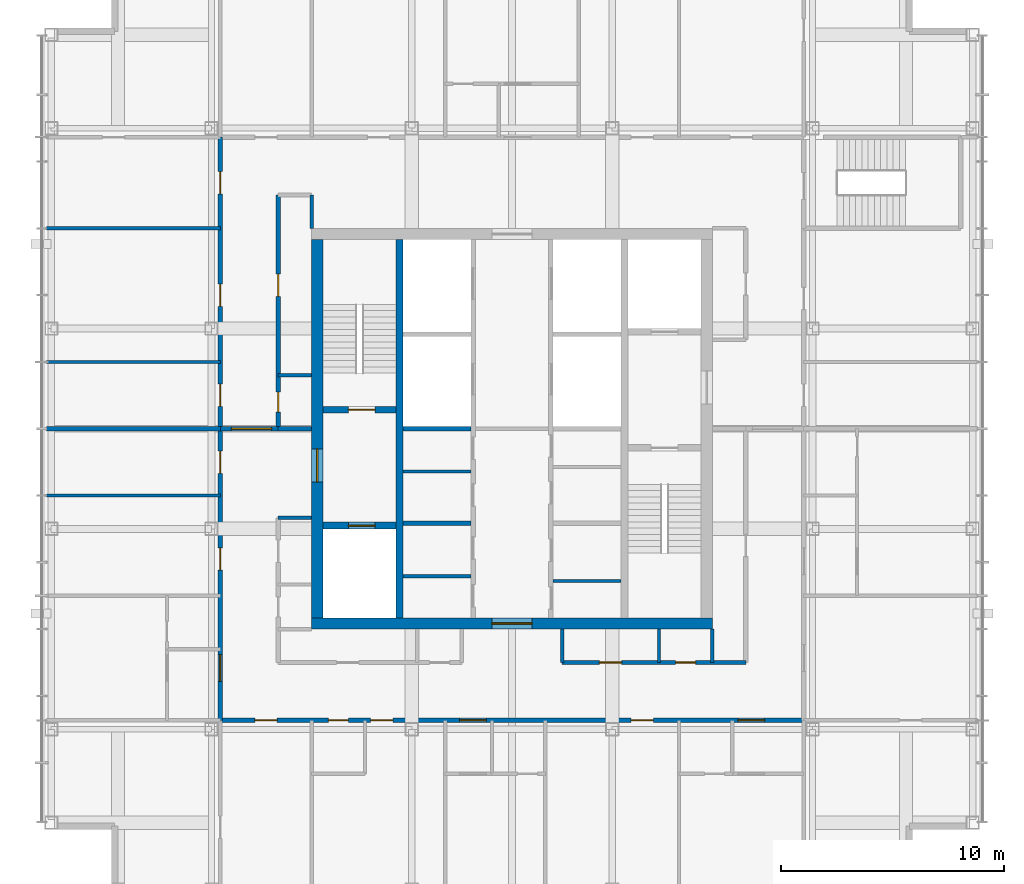
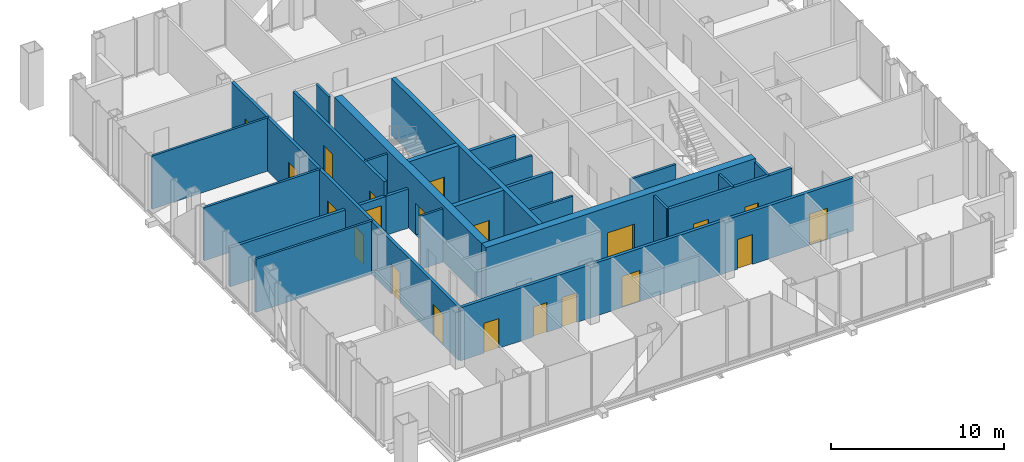
# One storey, part 8 of 12: 26 walls, 21 doors, 21 openings.
"""IFC4 building model written with IfcOpenShell, lengths in metres."""

import ifcopenshell
import ifcopenshell.guid

model = None  # the IFC model being written
_history = None  # IfcOwnerHistory: only IFC2X3 demands one
_inside = {}  # id of a spatial element -> (the spatial element, [elements in it])
_under = {}  # id of a project, library or spatial element -> (it, [spatial elements below it])
_declared = {}  # id of a project -> (the project, [libraries it declares])
_typed = {}  # id of a type object -> (the type object, [elements of that type])
_made_of = {}  # id of a material, layer set ... -> (it, [elements and type objects made of it])


def new_model(schema):
    """Start an empty IFC model of exactly this schema.

    Asked for "IFC4X3", IfcOpenShell would pick the latest addendum, in which some entities
    have other attributes; the version numbers below select the first issue.
    IFC2X3 requires an IfcOwnerHistory on every rooted entity: one is made here for all.
    """
    global model, _history
    if schema == "IFC4X3":
        model = ifcopenshell.file(schema_version=(4, 3, 0, 0))
    else:
        model = ifcopenshell.file(schema=schema)
    _inside.clear()
    _under.clear()
    _declared.clear()
    _typed.clear()
    _made_of.clear()
    _history = None
    if model.schema == "IFC2X3":
        org = make("IfcOrganization", Name="unknown")
        user = make(
            "IfcPersonAndOrganization",
            ThePerson=make("IfcPerson", FamilyName="unknown"),
            TheOrganization=org,
        )
        app = make(
            "IfcApplication",
            ApplicationDeveloper=org,
            Version="unknown",
            ApplicationFullName="unknown",
            ApplicationIdentifier="unknown",
        )
        _history = make(
            "IfcOwnerHistory",
            OwningUser=user,
            OwningApplication=app,
            ChangeAction="ADDED",
            CreationDate=0,
        )
    return model


def make(cls, **values):
    """One entity of the class cls with the attributes given. An attribute that is None is left unset."""
    return model.create_entity(
        cls, **{name: value for name, value in values.items() if value is not None}
    )


def rooted(cls, **values):
    """An entity with a GlobalId (a new one), such as an element, a storey or a relation."""
    return make(cls, GlobalId=ifcopenshell.guid.new(), OwnerHistory=_history, **values)


def si_unit(unit_type, name, prefix=None):
    """IfcSIUnit, for example si_unit("LENGTHUNIT", "METRE", prefix="MILLI")."""
    return make("IfcSIUnit", UnitType=unit_type, Prefix=prefix, Name=name)


def assignment(units):
    """IfcUnitAssignment: the units of a project."""
    return None if units is None else make("IfcUnitAssignment", Units=units)


def point(xyz):
    """IfcCartesianPoint."""
    return None if xyz is None else make("IfcCartesianPoint", Coordinates=xyz)


def direction(xyz):
    """IfcDirection."""
    return None if xyz is None else make("IfcDirection", DirectionRatios=xyz)


def frame(location, z_axis=None, x_axis=None):
    """IfcAxis2Placement3D, a coordinate frame: its origin and axes. An axis left out is left unset."""
    return make(
        "IfcAxis2Placement3D",
        Location=point(location),
        Axis=direction(z_axis),
        RefDirection=direction(x_axis),
    )


def frame_2d(location, x_axis=None):
    """IfcAxis2Placement2D, a coordinate frame in the plane: its origin and x axis."""
    return make(
        "IfcAxis2Placement2D", Location=point(location), RefDirection=direction(x_axis)
    )


def origin():
    """The frame at (0, 0, 0) with its axes left unset."""
    return frame((0.0, 0.0, 0.0))


def place(relative_to, where):
    """IfcLocalPlacement: puts the frame where relative to a parent placement (None: the world)."""
    return make(
        "IfcLocalPlacement", PlacementRelTo=relative_to, RelativePlacement=where
    )


def context(
    kind, dimensions, precision=None, world=None, true_north=None, identifier=None
):
    """IfcGeometricRepresentationContext, for example the 3D "Model" context."""
    return make(
        "IfcGeometricRepresentationContext",
        ContextIdentifier=identifier,
        ContextType=kind,
        CoordinateSpaceDimension=dimensions,
        Precision=precision,
        WorldCoordinateSystem=world,
        TrueNorth=true_north,
    )


def subcontext(parent, identifier, kind, view, scale=None):
    """IfcGeometricRepresentationSubContext, for example "Body" below "Model"."""
    return make(
        "IfcGeometricRepresentationSubContext",
        ContextIdentifier=identifier,
        ContextType=kind,
        ParentContext=parent,
        TargetScale=scale,
        TargetView=view,
    )


def project(units=None, contexts=None):
    """IfcProject with its units and contexts."""
    return rooted(
        "IfcProject",
        Name="project",
        RepresentationContexts=contexts,
        UnitsInContext=assignment(units),
    )


def spatial(cls, under=None, at=None, **own):
    """A site, building, storey or space (cls), placed at a placement, below another one or the project."""
    s = rooted(cls, ObjectPlacement=at, **own)
    if under is not None:
        _under.setdefault(under.id(), (under, []))[1].append(s)
    return s


def profile(cls, at=None, kind="AREA", **sizes):
    """A parametric profile (cls). Its sizes go by their IFC names, for example OverallWidth=200.0."""
    return make(cls, ProfileType=kind, Position=at, **sizes)


def rectangle(**sizes):
    """IfcRectangleProfileDef."""
    return profile("IfcRectangleProfileDef", **sizes)


def extrude(swept, where, along, depth):
    """IfcExtrudedAreaSolid: the profile swept, set in the frame where, extruded along a direction by depth."""
    return make(
        "IfcExtrudedAreaSolid",
        SweptArea=swept,
        Position=where,
        ExtrudedDirection=direction(along),
        Depth=depth,
    )


def shape(context_of_items, identifier, shape_type, items):
    """IfcShapeRepresentation: the items that make up one representation, for example the "Body"."""
    return make(
        "IfcShapeRepresentation",
        ContextOfItems=context_of_items,
        RepresentationIdentifier=identifier,
        RepresentationType=shape_type,
        Items=items,
    )


def material(Name=None, Category=None):
    """IfcMaterial."""
    return make("IfcMaterial", Name=Name, Category=Category)


def layer(
    of_material, thickness, ventilated=None, Name=None, Category=None, Priority=None
):
    """IfcMaterialLayer: one layer of a wall or slab, of a material (None: an air gap)."""
    return make(
        "IfcMaterialLayer",
        Material=of_material,
        LayerThickness=thickness,
        IsVentilated=ventilated,
        Name=Name,
        Category=Category,
        Priority=Priority,
    )


def layer_set(layers, Name=None):
    """IfcMaterialLayerSet."""
    return make("IfcMaterialLayerSet", MaterialLayers=layers, LayerSetName=Name)


def made_of(thing, what):
    """Note that an element or type object is made of a material, layer set ...; save() writes the relation."""
    if what is not None:
        _made_of.setdefault(what.id(), (what, []))[1].append(thing)
    return thing


def type_object(cls, material=None, **own):
    """A type object (cls), such as IfcWallType, which elements share."""
    return made_of(rooted(cls, **own), material)


def element(
    cls,
    number,
    at=None,
    inside=None,
    cuts=None,
    type_object=None,
    material=None,
    context=None,
    identifier="Body",
    shape_type=None,
    held_by="IfcProductDefinitionShape",
    body=None,
    shapes=None,
    **own,
):
    """One element of the class cls, such as IfcWall. Its Tag is "e" and its number.

    at: its placement. inside: the storey or other place that contains it. cuts: it is an
    opening in that element (IfcRelVoidsElement). A single representation is given by context,
    identifier, shape_type and body (its items); several are given by shapes. held_by: the class
    of the entity that holds the representations. save() writes the other relations.
    """
    e = rooted(cls, Tag="e%d" % number, ObjectPlacement=at, **own)
    if body is not None:
        shapes = [shape(context, identifier, shape_type, body)]
    if shapes is not None:
        e.Representation = make(held_by, Representations=shapes)
    if inside is not None:
        _inside.setdefault(inside.id(), (inside, []))[1].append(e)
    if cuts is not None:
        rooted(
            "IfcRelVoidsElement", RelatingBuildingElement=cuts, RelatedOpeningElement=e
        )
    if type_object is not None:
        _typed.setdefault(type_object.id(), (type_object, []))[1].append(e)
    return made_of(e, material)


def fill(opening, filler):
    """IfcRelFillsElement: the door or window that sits in an opening."""
    return rooted(
        "IfcRelFillsElement",
        RelatingOpeningElement=opening,
        RelatedBuildingElement=filler,
    )


def aggregate(whole, parts):
    """IfcRelAggregates: a whole, such as a stair, and the parts it consists of."""
    return rooted("IfcRelAggregates", RelatingObject=whole, RelatedObjects=parts)


def save(model, path):
    """Write the relations noted so far, then the file.

    IfcRelAggregates (storeys below a building ...), IfcRelContainedInSpatialStructure (elements
    in a storey), IfcRelDefinesByType, IfcRelAssociatesMaterial and IfcRelDeclares: one each for
    every whole, place, type object, material and project.
    """
    for whole, parts in _under.values():
        aggregate(whole, parts)
    for where, things in _inside.values():
        rooted(
            "IfcRelContainedInSpatialStructure",
            RelatedElements=things,
            RelatingStructure=where,
        )
    for kind, things in _typed.values():
        rooted("IfcRelDefinesByType", RelatedObjects=things, RelatingType=kind)
    for what, things in _made_of.values():
        rooted("IfcRelAssociatesMaterial", RelatedObjects=things, RelatingMaterial=what)
    for by, libraries in _declared.values():
        rooted("IfcRelDeclares", RelatingContext=by, RelatedDefinitions=libraries)
    model.write(path)


model = new_model("IFC4")

# Units and contexts
model_context = context("Model", 3, precision=1e-05, world=origin(), true_north=direction((0.0, 1.0)))
body_context = subcontext(model_context, "Body", "Model", "MODEL_VIEW")
ifc_project = project(units=[si_unit("LENGTHUNIT", "METRE"), si_unit("AREAUNIT", "SQUARE_METRE"), si_unit("VOLUMEUNIT", "CUBIC_METRE"), si_unit("PLANEANGLEUNIT", "RADIAN"), si_unit("MASSUNIT", "GRAM", prefix="KILO")], contexts=[model_context])

# Site, building, storey
site_placement = place(None, origin())
site = spatial("IfcSite", under=ifc_project, at=site_placement, CompositionType="ELEMENT")
building_placement = place(site_placement, origin())
building = spatial("IfcBuilding", under=site, at=building_placement, Name="Malebo Sky Hospital", CompositionType="ELEMENT")
storey_placement = place(building_placement, frame((0.0, 0.0, 262.0)))
storey = spatial("IfcBuildingStorey", under=building, at=storey_placement, Name="L63", CompositionType="ELEMENT", Elevation=262.0)

# Walls
ifc_material_1 = material(Name="Concrete C80/95", Category="concrete")
ifc_layer_1 = layer(ifc_material_1, 0.199951171875)
ifc_layer_set_1 = layer_set([ifc_layer_1], Name="CORE INNER WALL 200")
wall_type_1 = type_object("IfcWallType", Name="CORE INNER WALL 200", PredefinedType="SHEAR", material=ifc_layer_set_1)
for number, where, z_axis, x_axis, name in (
    (1, (55.10009765625, 57.75, 0.0), (0.0, 0.0, 1.0), (1.0, 0.0, 0.0), "Core wall SW0 L63"),
    (2, (55.10009765625, 62.0, 0.0), (0.0, 0.0, 1.0), (1.0, 0.0, 0.0), "Core wall SW1 L63"),
):
    element("IfcWall", number, at=place(storey_placement, frame(where, z_axis=z_axis, x_axis=x_axis)), inside=storey, type_object=wall_type_1, Name=name, PredefinedType="SHEAR", context=body_context, shape_type="SweptSolid", body=[
        extrude(rectangle(XDim=3.0498046875, YDim=0.199951171875, at=frame_2d((1.52490234375, 0.0))), origin(), (0.0, 0.0, 1.0), 4.0),
    ])
ifc_layer_2 = layer(ifc_material_1, 0.300048828125)
ifc_layer_set_2 = layer_set([ifc_layer_2], Name="CORE INNER WALL 300")
wall_type_2 = type_object("IfcWallType", Name="CORE INNER WALL 300", PredefinedType="SHEAR", material=ifc_layer_set_2)
wall_1_placement = place(storey_placement, frame((54.949951171875, 53.5, 0.0), z_axis=(0.0, 0.0, 1.0), x_axis=(0.0, 1.0, 0.0)))
element("IfcWall", 3, at=wall_1_placement, inside=storey, type_object=wall_type_2, Name="Core wall XW L63", PredefinedType="SHEAR", context=body_context, shape_type="SweptSolid", body=[
    extrude(rectangle(XDim=17.0, YDim=0.300048828125, at=frame_2d((8.5, 0.0))), origin(), (0.0, 0.0, 1.0), 4.0),
])

# Wall, opening, door
wall_2_placement = place(storey_placement, frame((51.5, 62.85009765625, 0.0), z_axis=(0.0, 0.0, 1.0), x_axis=(1.0, 0.0, 0.0)))
wall_2 = element("IfcWall", 4, at=wall_2_placement, inside=storey, type_object=wall_type_2, Name="Core wall W1 L63", PredefinedType="SHEAR", context=body_context, shape_type="SweptSolid", body=[
    extrude(rectangle(XDim=3.300048828125, YDim=0.300048828125, at=frame_2d((1.64990234375, 0.0))), origin(), (0.0, 0.0, 1.0), 4.0),
])
opening_1_placement = place(wall_2_placement, frame((1.14990234375, 0.0, 0.0)))
opening_1 = element("IfcOpeningElement", 5, at=opening_1_placement, cuts=wall_2, Name="Opening D08", PredefinedType="OPENING", context=body_context, shape_type="SweptSolid", body=[
    extrude(rectangle(XDim=1.199951171875, YDim=2.10009765625, at=frame_2d((0.60009765625, 1.050048828125))), frame((0.0, 0.159912109375, 0.0), z_axis=(0.0, -1.0, 0.0), x_axis=(1.0, 0.0, 0.0)), (0.0, 0.0, 1.0), 0.320068359375),
])
ifc_material_2 = material(Name="Hardwood-faced door leaf in steel frame", Category="steel")
door_type_1 = type_object("IfcDoorType", Name="STAIR DOOR 1200", OperationType="SINGLE_SWING_LEFT", PredefinedType="DOOR", material=ifc_material_2)
door_1_placement = place(opening_1_placement, origin())
door_1 = element("IfcDoor", 6, at=door_1_placement, inside=storey, type_object=door_type_1, Name="Stair S1 door", OperationType="SINGLE_SWING_RIGHT", OverallHeight=2.10009765625, OverallWidth=1.199951171875, PredefinedType="DOOR", context=body_context, shape_type="SweptSolid", body=[
    extrude(rectangle(XDim=1.199951171875, YDim=2.10009765625, at=frame_2d((0.60009765625, 1.050048828125))), frame((0.0, 0.02490234375, 0.0), z_axis=(0.0, -1.0, 0.0), x_axis=(1.0, 0.0, 0.0)), (0.0, 0.0, 1.0), 0.050048828125),
])
fill(opening_1, door_1)

wall_3_placement = place(storey_placement, frame((51.5, 57.64990234375, 0.0), z_axis=(0.0, 0.0, 1.0), x_axis=(1.0, 0.0, 0.0)))
wall_3 = element("IfcWall", 7, at=wall_3_placement, inside=storey, type_object=wall_type_2, Name="Core wall W2 L63", PredefinedType="SHEAR", context=body_context, shape_type="SweptSolid", body=[
    extrude(rectangle(XDim=3.300048828125, YDim=0.300048828125, at=frame_2d((1.64990234375, 0.0))), origin(), (0.0, 0.0, 1.0), 4.0),
])
opening_2_placement = place(wall_3_placement, frame((1.14990234375, 0.0, 0.0)))
opening_2 = element("IfcOpeningElement", 8, at=opening_2_placement, cuts=wall_3, Name="Opening LD2", PredefinedType="OPENING", context=body_context, shape_type="SweptSolid", body=[
    extrude(rectangle(XDim=1.199951171875, YDim=2.199951171875, at=frame_2d((0.60009765625, 1.10009765625))), frame((0.0, 0.159912109375, 0.0), z_axis=(0.0, -1.0, 0.0), x_axis=(1.0, 0.0, 0.0)), (0.0, 0.0, 1.0), 0.320068359375),
])
ifc_material_3 = material(Name="Stainless steel sliding landing door", Category="steel")
door_type_2 = type_object("IfcDoorType", Name="FIRE-FIGHTING LIFT LANDING DOOR 1200", OperationType="SLIDING_TO_LEFT", PredefinedType="DOOR", material=ifc_material_3)
door_2_placement = place(opening_2_placement, origin())
door_2 = element("IfcDoor", 9, at=door_2_placement, inside=storey, type_object=door_type_2, Name="Lift FL1 landing door", OperationType="SLIDING_TO_LEFT", OverallHeight=2.199951171875, OverallWidth=1.199951171875, PredefinedType="DOOR", context=body_context, shape_type="SweptSolid", body=[
    extrude(rectangle(XDim=1.199951171875, YDim=2.199951171875, at=frame_2d((0.60009765625, 1.10009765625))), frame((0.0, 0.02490234375, 0.0), z_axis=(0.0, -1.0, 0.0), x_axis=(1.0, 0.0, 0.0)), (0.0, 0.0, 1.0), 0.050048828125),
])
fill(opening_2, door_2)

ifc_layer_3 = layer(ifc_material_1, 0.5)
ifc_layer_set_3 = layer_set([ifc_layer_3], Name="CORE WALL 500")
wall_type_3 = type_object("IfcWallType", Name="CORE WALL 500", PredefinedType="SHEAR", material=ifc_layer_set_3)
wall_4_placement = place(storey_placement, frame((51.0, 53.25, 0.0), z_axis=(0.0, 0.0, 1.0), x_axis=(1.0, 0.0, 0.0)))
wall_4 = element("IfcWall", 10, at=wall_4_placement, inside=storey, type_object=wall_type_3, Name="Core wall S L63", PredefinedType="SHEAR", context=body_context, shape_type="SweptSolid", body=[
    extrude(rectangle(XDim=18.0, YDim=0.5, at=frame_2d((9.0, 0.0))), origin(), (0.0, 0.0, 1.0), 4.0),
])
opening_3_placement = place(wall_4_placement, frame((8.10009765625, 0.0, 0.0)))
opening_3 = element("IfcOpeningElement", 11, at=opening_3_placement, cuts=wall_4, Name="Opening D06", PredefinedType="OPENING", context=body_context, shape_type="SweptSolid", body=[
    extrude(rectangle(XDim=1.800048828125, YDim=2.199951171875, at=frame_2d((0.89990234375, 1.10009765625))), frame((0.0, 0.260009765625, 0.0), z_axis=(0.0, -1.0, 0.0), x_axis=(1.0, 0.0, 0.0)), (0.0, 0.0, 1.0), 0.52001953125),
])
door_type_3 = type_object("IfcDoorType", Name="LOBBY DOOR PAIR 1800", OperationType="DOUBLE_DOOR_SINGLE_SWING", PredefinedType="DOOR", material=ifc_material_2)
door_3_placement = place(opening_3_placement, origin())
door_3 = element("IfcDoor", 12, at=door_3_placement, inside=storey, type_object=door_type_3, Name="Service lobby door south", OperationType="DOUBLE_DOOR_SINGLE_SWING", OverallHeight=2.199951171875, OverallWidth=1.800048828125, PredefinedType="DOOR", context=body_context, shape_type="SweptSolid", body=[
    extrude(rectangle(XDim=1.800048828125, YDim=2.199951171875, at=frame_2d((0.89990234375, 1.10009765625))), frame((0.0, 0.02490234375, 0.0), z_axis=(0.0, -1.0, 0.0), x_axis=(1.0, 0.0, 0.0)), (0.0, 0.0, 1.0), 0.050048828125),
])
fill(opening_3, door_3)

wall_5_placement = place(storey_placement, frame((51.25, 53.5, 0.0), z_axis=(0.0, 0.0, 1.0), x_axis=(0.0, 1.0, 0.0)))
wall_5 = element("IfcWall", 13, at=wall_5_placement, inside=storey, type_object=wall_type_3, Name="Core wall W L63", PredefinedType="SHEAR", context=body_context, shape_type="SweptSolid", body=[
    extrude(rectangle(XDim=17.0, YDim=0.5, at=frame_2d((8.5, 0.0))), origin(), (0.0, 0.0, 1.0), 4.0),
])
opening_4_placement = place(wall_5_placement, frame((6.10009765625, 0.0, 0.0)))
opening_4 = element("IfcOpeningElement", 14, at=opening_4_placement, cuts=wall_5, Name="Opening D07", PredefinedType="OPENING", context=body_context, shape_type="SweptSolid", body=[
    extrude(rectangle(XDim=1.5, YDim=2.199951171875, at=frame_2d((0.75, 1.10009765625))), frame((0.0, 0.260009765625, 0.0), z_axis=(0.0, -1.0, 0.0), x_axis=(1.0, 0.0, 0.0)), (0.0, 0.0, 1.0), 0.52001953125),
])
door_type_4 = type_object("IfcDoorType", Name="FIRE-FIGHTING LOBBY DOOR PAIR 1500", OperationType="DOUBLE_DOOR_SINGLE_SWING", PredefinedType="DOOR", material=ifc_material_2)
door_4_placement = place(opening_4_placement, origin())
door_4 = element("IfcDoor", 15, at=door_4_placement, inside=storey, type_object=door_type_4, Name="Fire-fighting lobby door west", OperationType="DOUBLE_DOOR_SINGLE_SWING", OverallHeight=2.199951171875, OverallWidth=1.5, PredefinedType="DOOR", context=body_context, shape_type="SweptSolid", body=[
    extrude(rectangle(XDim=1.5, YDim=2.199951171875, at=frame_2d((0.75, 1.10009765625))), frame((0.0, 0.02490234375, 0.0), z_axis=(0.0, -1.0, 0.0), x_axis=(1.0, 0.0, 0.0)), (0.0, 0.0, 1.0), 0.050048828125),
])
fill(opening_4, door_4)

# Wall, openings, doors
ifc_material_4 = material(Name="Gypsum board on steel studs", Category="steel")
ifc_layer_4 = layer(ifc_material_4, 0.199951171875)
ifc_layer_set_4 = layer_set([ifc_layer_4], Name="CORRIDOR WALL 200")
wall_type_4 = type_object("IfcWallType", Name="CORRIDOR WALL 200", PredefinedType="PARTITIONING", material=ifc_layer_set_4)
wall_6_placement = place(storey_placement, frame((46.89990234375, 48.89990234375, 0.0), z_axis=(0.0, 0.0, 1.0), x_axis=(0.0, 1.0, 0.0)))
wall_6 = element("IfcWall", 16, at=wall_6_placement, inside=storey, type_object=wall_type_4, Name="Corridor Wall 200 WCO", PredefinedType="PARTITIONING", context=body_context, shape_type="SweptSolid", body=[
    extrude(rectangle(XDim=26.2001953125, YDim=0.199951171875, at=frame_2d((13.10009765625, 0.0))), origin(), (0.0, 0.0, 1.0), 3.75),
])
opening_5_placement = place(wall_6_placement, frame((1.75, 0.0, 0.0)))
opening_5 = element("IfcOpeningElement", 17, at=opening_5_placement, cuts=wall_6, Name="Opening D18", PredefinedType="OPENING", context=body_context, shape_type="SweptSolid", body=[
    extrude(rectangle(XDim=1.199951171875, YDim=2.199951171875, at=frame_2d((0.60009765625, 1.10009765625))), frame((0.0, 0.10986328125, 0.0), z_axis=(0.0, -1.0, 0.0), x_axis=(1.0, 0.0, 0.0)), (0.0, 0.0, 1.0), 0.219970703125),
])
opening_6_placement = place(wall_6_placement, frame((6.75, 0.0, 0.0)))
opening_6 = element("IfcOpeningElement", 18, at=opening_6_placement, cuts=wall_6, Name="Opening D03", PredefinedType="OPENING", context=body_context, shape_type="SweptSolid", body=[
    extrude(rectangle(XDim=1.0, YDim=2.10009765625, at=frame_2d((0.5, 1.050048828125))), frame((0.0, 0.10986328125, 0.0), z_axis=(0.0, -1.0, 0.0), x_axis=(1.0, 0.0, 0.0)), (0.0, 0.0, 1.0), 0.219970703125),
])
opening_7_placement = place(wall_6_placement, frame((11.10009765625, 0.0, 0.0)))
opening_7 = element("IfcOpeningElement", 19, at=opening_7_placement, cuts=wall_6, Name="Opening D03", PredefinedType="OPENING", context=body_context, shape_type="SweptSolid", body=[
    extrude(rectangle(XDim=1.0, YDim=2.10009765625, at=frame_2d((0.5, 1.050048828125))), frame((0.0, 0.10986328125, 0.0), z_axis=(0.0, -1.0, 0.0), x_axis=(1.0, 0.0, 0.0)), (0.0, 0.0, 1.0), 0.219970703125),
])
opening_8_placement = place(wall_6_placement, frame((14.10009765625, 0.0, 0.0)))
opening_8 = element("IfcOpeningElement", 20, at=opening_8_placement, cuts=wall_6, Name="Opening D03", PredefinedType="OPENING", context=body_context, shape_type="SweptSolid", body=[
    extrude(rectangle(XDim=1.0, YDim=2.10009765625, at=frame_2d((0.5, 1.050048828125))), frame((0.0, 0.10986328125, 0.0), z_axis=(0.0, -1.0, 0.0), x_axis=(1.0, 0.0, 0.0)), (0.0, 0.0, 1.0), 0.219970703125),
])
opening_9_placement = place(wall_6_placement, frame((18.60009765625, 0.0, 0.0)))
opening_9 = element("IfcOpeningElement", 21, at=opening_9_placement, cuts=wall_6, Name="Opening D03", PredefinedType="OPENING", context=body_context, shape_type="SweptSolid", body=[
    extrude(rectangle(XDim=1.0, YDim=2.10009765625, at=frame_2d((0.5, 1.050048828125))), frame((0.0, 0.10986328125, 0.0), z_axis=(0.0, -1.0, 0.0), x_axis=(1.0, 0.0, 0.0)), (0.0, 0.0, 1.0), 0.219970703125),
])
opening_10_placement = place(wall_6_placement, frame((23.64990234375, 0.0, 0.0)))
opening_10 = element("IfcOpeningElement", 22, at=opening_10_placement, cuts=wall_6, Name="Opening D03", PredefinedType="OPENING", context=body_context, shape_type="SweptSolid", body=[
    extrude(rectangle(XDim=1.0, YDim=2.10009765625, at=frame_2d((0.5, 1.050048828125))), frame((0.0, 0.10986328125, 0.0), z_axis=(0.0, -1.0, 0.0), x_axis=(1.0, 0.0, 0.0)), (0.0, 0.0, 1.0), 0.219970703125),
])
door_type_5 = type_object("IfcDoorType", Name="ANTEROOM DOOR 1200", OperationType="SINGLE_SWING_LEFT", PredefinedType="DOOR", material=ifc_material_2)
door_5_placement = place(opening_5_placement, origin())
door_5 = element("IfcDoor", 23, at=door_5_placement, inside=storey, type_object=door_type_5, Name="Anteroom door", OperationType="SINGLE_SWING_RIGHT", OverallHeight=2.199951171875, OverallWidth=1.199951171875, PredefinedType="DOOR", context=body_context, shape_type="SweptSolid", body=[
    extrude(rectangle(XDim=1.199951171875, YDim=2.199951171875, at=frame_2d((0.60009765625, 1.10009765625))), frame((0.0, 0.02490234375, 0.0), z_axis=(0.0, -1.0, 0.0), x_axis=(1.0, 0.0, 0.0)), (0.0, 0.0, 1.0), 0.050048828125),
])
fill(opening_5, door_5)
door_type_6 = type_object("IfcDoorType", Name="ROOM DOOR 1000", OperationType="SINGLE_SWING_LEFT", PredefinedType="DOOR", material=ifc_material_2)
door_6_placement = place(opening_6_placement, origin())
door_6 = element("IfcDoor", 24, at=door_6_placement, inside=storey, type_object=door_type_6, Name="Treatment room door", OperationType="SINGLE_SWING_LEFT", OverallHeight=2.10009765625, OverallWidth=1.0, PredefinedType="DOOR", context=body_context, shape_type="SweptSolid", body=[
    extrude(rectangle(XDim=1.0, YDim=2.10009765625, at=frame_2d((0.5, 1.050048828125))), frame((0.0, 0.02490234375, 0.0), z_axis=(0.0, -1.0, 0.0), x_axis=(1.0, 0.0, 0.0)), (0.0, 0.0, 1.0), 0.050048828125),
])
fill(opening_6, door_6)
door_7_placement = place(opening_7_placement, origin())
door_7 = element("IfcDoor", 25, at=door_7_placement, inside=storey, type_object=door_type_6, Name="Medication room door", OperationType="SINGLE_SWING_RIGHT", OverallHeight=2.10009765625, OverallWidth=1.0, PredefinedType="DOOR", context=body_context, shape_type="SweptSolid", body=[
    extrude(rectangle(XDim=1.0, YDim=2.10009765625, at=frame_2d((0.5, 1.050048828125))), frame((0.0, 0.02490234375, 0.0), z_axis=(0.0, -1.0, 0.0), x_axis=(1.0, 0.0, 0.0)), (0.0, 0.0, 1.0), 0.050048828125),
])
fill(opening_7, door_7)
door_8_placement = place(opening_8_placement, origin())
door_8 = element("IfcDoor", 26, at=door_8_placement, inside=storey, type_object=door_type_6, Name="Ward office door", OperationType="SINGLE_SWING_LEFT", OverallHeight=2.10009765625, OverallWidth=1.0, PredefinedType="DOOR", context=body_context, shape_type="SweptSolid", body=[
    extrude(rectangle(XDim=1.0, YDim=2.10009765625, at=frame_2d((0.5, 1.050048828125))), frame((0.0, 0.02490234375, 0.0), z_axis=(0.0, -1.0, 0.0), x_axis=(1.0, 0.0, 0.0)), (0.0, 0.0, 1.0), 0.050048828125),
])
fill(opening_8, door_8)
door_9_placement = place(opening_9_placement, origin())
door_9 = element("IfcDoor", 27, at=door_9_placement, inside=storey, type_object=door_type_6, Name="Interview room door", OperationType="SINGLE_SWING_LEFT", OverallHeight=2.10009765625, OverallWidth=1.0, PredefinedType="DOOR", context=body_context, shape_type="SweptSolid", body=[
    extrude(rectangle(XDim=1.0, YDim=2.10009765625, at=frame_2d((0.5, 1.050048828125))), frame((0.0, 0.02490234375, 0.0), z_axis=(0.0, -1.0, 0.0), x_axis=(1.0, 0.0, 0.0)), (0.0, 0.0, 1.0), 0.050048828125),
])
fill(opening_9, door_9)
door_10_placement = place(opening_10_placement, origin())
door_10 = element("IfcDoor", 28, at=door_10_placement, inside=storey, type_object=door_type_6, Name="Exercise room door", OperationType="SINGLE_SWING_RIGHT", OverallHeight=2.10009765625, OverallWidth=1.0, PredefinedType="DOOR", context=body_context, shape_type="SweptSolid", body=[
    extrude(rectangle(XDim=1.0, YDim=2.10009765625, at=frame_2d((0.5, 1.050048828125))), frame((0.0, 0.02490234375, 0.0), z_axis=(0.0, -1.0, 0.0), x_axis=(1.0, 0.0, 0.0)), (0.0, 0.0, 1.0), 0.050048828125),
])
fill(opening_10, door_10)

wall_7_placement = place(storey_placement, frame((49.5, 62.0, 0.0), z_axis=(0.0, 0.0, 1.0), x_axis=(0.0, 1.0, 0.0)))
wall_7 = element("IfcWall", 29, at=wall_7_placement, inside=storey, type_object=wall_type_4, Name="Corridor Wall 200 WCI2", PredefinedType="PARTITIONING", context=body_context, shape_type="SweptSolid", body=[
    extrude(rectangle(XDim=10.5, YDim=0.199951171875, at=frame_2d((5.25, 0.0))), origin(), (0.0, 0.0, 1.0), 3.75),
])
opening_11_placement = place(wall_7_placement, frame((0.75, 0.0, 0.0)))
opening_11 = element("IfcOpeningElement", 30, at=opening_11_placement, cuts=wall_7, Name="Opening D04", PredefinedType="OPENING", context=body_context, shape_type="SweptSolid", body=[
    extrude(rectangle(XDim=0.89990234375, YDim=2.10009765625, at=frame_2d((0.449951171875, 1.050048828125))), frame((0.0, 0.10986328125, 0.0), z_axis=(0.0, -1.0, 0.0), x_axis=(1.0, 0.0, 0.0)), (0.0, 0.0, 1.0), 0.219970703125),
])
opening_12_placement = place(wall_7_placement, frame((5.949951171875, 0.0, 0.0)))
opening_12 = element("IfcOpeningElement", 31, at=opening_12_placement, cuts=wall_7, Name="Opening D03", PredefinedType="OPENING", context=body_context, shape_type="SweptSolid", body=[
    extrude(rectangle(XDim=1.0, YDim=2.10009765625, at=frame_2d((0.5, 1.050048828125))), frame((0.0, 0.10986328125, 0.0), z_axis=(0.0, -1.0, 0.0), x_axis=(1.0, 0.0, 0.0)), (0.0, 0.0, 1.0), 0.219970703125),
])
door_11_placement = place(opening_12_placement, origin())
door_11 = element("IfcDoor", 32, at=door_11_placement, inside=storey, type_object=door_type_6, Name="Equipment store door", OperationType="SINGLE_SWING_RIGHT", OverallHeight=2.10009765625, OverallWidth=1.0, PredefinedType="DOOR", context=body_context, shape_type="SweptSolid", body=[
    extrude(rectangle(XDim=1.0, YDim=2.10009765625, at=frame_2d((0.5, 1.050048828125))), frame((0.0, 0.02490234375, 0.0), z_axis=(0.0, -1.0, 0.0), x_axis=(1.0, 0.0, 0.0)), (0.0, 0.0, 1.0), 0.050048828125),
])
fill(opening_12, door_11)
door_type_7 = type_object("IfcDoorType", Name="ROOM DOOR 900", OperationType="SINGLE_SWING_LEFT", PredefinedType="DOOR", material=ifc_material_2)
door_12_placement = place(opening_11_placement, origin())
door_12 = element("IfcDoor", 33, at=door_12_placement, inside=storey, type_object=door_type_7, Name="Cleaner's room door", OperationType="SINGLE_SWING_LEFT", OverallHeight=2.10009765625, OverallWidth=0.89990234375, PredefinedType="DOOR", context=body_context, shape_type="SweptSolid", body=[
    extrude(rectangle(XDim=0.89990234375, YDim=2.10009765625, at=frame_2d((0.449951171875, 1.050048828125))), frame((0.0, 0.02490234375, 0.0), z_axis=(0.0, -1.0, 0.0), x_axis=(1.0, 0.0, 0.0)), (0.0, 0.0, 1.0), 0.050048828125),
])
fill(opening_11, door_12)

wall_8_placement = place(storey_placement, frame((73.10009765625, 48.89990234375, 0.0), z_axis=(0.0, 0.0, 1.0), x_axis=(-1.0, 0.0, 0.0)))
wall_8 = element("IfcWall", 34, at=wall_8_placement, inside=storey, type_object=wall_type_4, Name="Corridor Wall 200 SCO", PredefinedType="PARTITIONING", context=body_context, shape_type="SweptSolid", body=[
    extrude(rectangle(XDim=26.2001953125, YDim=0.199951171875, at=frame_2d((13.10009765625, 0.0))), origin(), (0.0, 0.0, 1.0), 3.75),
])
opening_13_placement = place(wall_8_placement, frame((1.75, 0.0, 0.0)))
opening_13 = element("IfcOpeningElement", 35, at=opening_13_placement, cuts=wall_8, Name="Opening D18", PredefinedType="OPENING", context=body_context, shape_type="SweptSolid", body=[
    extrude(rectangle(XDim=1.199951171875, YDim=2.199951171875, at=frame_2d((0.60009765625, 1.10009765625))), frame((0.0, 0.10986328125, 0.0), z_axis=(0.0, -1.0, 0.0), x_axis=(1.0, 0.0, 0.0)), (0.0, 0.0, 1.0), 0.219970703125),
])
opening_14_placement = place(wall_8_placement, frame((6.75, 0.0, 0.0)))
opening_14 = element("IfcOpeningElement", 36, at=opening_14_placement, cuts=wall_8, Name="Opening D03", PredefinedType="OPENING", context=body_context, shape_type="SweptSolid", body=[
    extrude(rectangle(XDim=1.0, YDim=2.10009765625, at=frame_2d((0.5, 1.050048828125))), frame((0.0, 0.10986328125, 0.0), z_axis=(0.0, -1.0, 0.0), x_axis=(1.0, 0.0, 0.0)), (0.0, 0.0, 1.0), 0.219970703125),
])
opening_15_placement = place(wall_8_placement, frame((14.25, 0.0, 0.0)))
opening_15 = element("IfcOpeningElement", 37, at=opening_15_placement, cuts=wall_8, Name="Opening D18", PredefinedType="OPENING", context=body_context, shape_type="SweptSolid", body=[
    extrude(rectangle(XDim=1.199951171875, YDim=2.199951171875, at=frame_2d((0.60009765625, 1.10009765625))), frame((0.0, 0.10986328125, 0.0), z_axis=(0.0, -1.0, 0.0), x_axis=(1.0, 0.0, 0.0)), (0.0, 0.0, 1.0), 0.219970703125),
])
opening_16_placement = place(wall_8_placement, frame((20.449951171875, 0.0, 0.0)))
opening_16 = element("IfcOpeningElement", 38, at=opening_16_placement, cuts=wall_8, Name="Opening D04", PredefinedType="OPENING", context=body_context, shape_type="SweptSolid", body=[
    extrude(rectangle(XDim=0.89990234375, YDim=2.10009765625, at=frame_2d((0.449951171875, 1.050048828125))), frame((0.0, 0.10986328125, 0.0), z_axis=(0.0, -1.0, 0.0), x_axis=(1.0, 0.0, 0.0)), (0.0, 0.0, 1.0), 0.219970703125),
])
opening_17_placement = place(wall_8_placement, frame((18.449951171875, 0.0, 0.0)))
opening_17 = element("IfcOpeningElement", 39, at=opening_17_placement, cuts=wall_8, Name="Opening D03", PredefinedType="OPENING", context=body_context, shape_type="SweptSolid", body=[
    extrude(rectangle(XDim=1.0, YDim=2.10009765625, at=frame_2d((0.5, 1.050048828125))), frame((0.0, 0.10986328125, 0.0), z_axis=(0.0, -1.0, 0.0), x_axis=(1.0, 0.0, 0.0)), (0.0, 0.0, 1.0), 0.219970703125),
])
opening_18_placement = place(wall_8_placement, frame((23.64990234375, 0.0, 0.0)))
opening_18 = element("IfcOpeningElement", 40, at=opening_18_placement, cuts=wall_8, Name="Opening D03", PredefinedType="OPENING", context=body_context, shape_type="SweptSolid", body=[
    extrude(rectangle(XDim=1.0, YDim=2.10009765625, at=frame_2d((0.5, 1.050048828125))), frame((0.0, 0.10986328125, 0.0), z_axis=(0.0, -1.0, 0.0), x_axis=(1.0, 0.0, 0.0)), (0.0, 0.0, 1.0), 0.219970703125),
])
door_13_placement = place(opening_13_placement, origin())
door_13 = element("IfcDoor", 41, at=door_13_placement, inside=storey, type_object=door_type_5, Name="Anteroom door", OperationType="SINGLE_SWING_RIGHT", OverallHeight=2.199951171875, OverallWidth=1.199951171875, PredefinedType="DOOR", context=body_context, shape_type="SweptSolid", body=[
    extrude(rectangle(XDim=1.199951171875, YDim=2.199951171875, at=frame_2d((0.60009765625, 1.10009765625))), frame((0.0, 0.02490234375, 0.0), z_axis=(0.0, -1.0, 0.0), x_axis=(1.0, 0.0, 0.0)), (0.0, 0.0, 1.0), 0.050048828125),
])
fill(opening_13, door_13)
door_14_placement = place(opening_15_placement, origin())
door_14 = element("IfcDoor", 42, at=door_14_placement, inside=storey, type_object=door_type_5, Name="Anteroom door", OperationType="SINGLE_SWING_LEFT", OverallHeight=2.199951171875, OverallWidth=1.199951171875, PredefinedType="DOOR", context=body_context, shape_type="SweptSolid", body=[
    extrude(rectangle(XDim=1.199951171875, YDim=2.199951171875, at=frame_2d((0.60009765625, 1.10009765625))), frame((0.0, 0.02490234375, 0.0), z_axis=(0.0, -1.0, 0.0), x_axis=(1.0, 0.0, 0.0)), (0.0, 0.0, 1.0), 0.050048828125),
])
fill(opening_15, door_14)
door_15_placement = place(opening_14_placement, origin())
door_15 = element("IfcDoor", 43, at=door_15_placement, inside=storey, type_object=door_type_6, Name="Family room door", OperationType="SINGLE_SWING_LEFT", OverallHeight=2.10009765625, OverallWidth=1.0, PredefinedType="DOOR", context=body_context, shape_type="SweptSolid", body=[
    extrude(rectangle(XDim=1.0, YDim=2.10009765625, at=frame_2d((0.5, 1.050048828125))), frame((0.0, 0.02490234375, 0.0), z_axis=(0.0, -1.0, 0.0), x_axis=(1.0, 0.0, 0.0)), (0.0, 0.0, 1.0), 0.050048828125),
])
fill(opening_14, door_15)
door_16_placement = place(opening_17_placement, origin())
door_16 = element("IfcDoor", 44, at=door_16_placement, inside=storey, type_object=door_type_6, Name="Staff rest room door", OperationType="SINGLE_SWING_RIGHT", OverallHeight=2.10009765625, OverallWidth=1.0, PredefinedType="DOOR", context=body_context, shape_type="SweptSolid", body=[
    extrude(rectangle(XDim=1.0, YDim=2.10009765625, at=frame_2d((0.5, 1.050048828125))), frame((0.0, 0.02490234375, 0.0), z_axis=(0.0, -1.0, 0.0), x_axis=(1.0, 0.0, 0.0)), (0.0, 0.0, 1.0), 0.050048828125),
])
fill(opening_17, door_16)
door_17_placement = place(opening_18_placement, origin())
door_17 = element("IfcDoor", 45, at=door_17_placement, inside=storey, type_object=door_type_6, Name="Patient lounge door", OperationType="SINGLE_SWING_RIGHT", OverallHeight=2.10009765625, OverallWidth=1.0, PredefinedType="DOOR", context=body_context, shape_type="SweptSolid", body=[
    extrude(rectangle(XDim=1.0, YDim=2.10009765625, at=frame_2d((0.5, 1.050048828125))), frame((0.0, 0.02490234375, 0.0), z_axis=(0.0, -1.0, 0.0), x_axis=(1.0, 0.0, 0.0)), (0.0, 0.0, 1.0), 0.050048828125),
])
fill(opening_18, door_17)
door_18_placement = place(opening_16_placement, origin())
door_18 = element("IfcDoor", 46, at=door_18_placement, inside=storey, type_object=door_type_7, Name="Accessible WC door", OperationType="SINGLE_SWING_LEFT", OverallHeight=2.10009765625, OverallWidth=0.89990234375, PredefinedType="DOOR", context=body_context, shape_type="SweptSolid", body=[
    extrude(rectangle(XDim=0.89990234375, YDim=2.10009765625, at=frame_2d((0.449951171875, 1.050048828125))), frame((0.0, 0.02490234375, 0.0), z_axis=(0.0, -1.0, 0.0), x_axis=(1.0, 0.0, 0.0)), (0.0, 0.0, 1.0), 0.050048828125),
])
fill(opening_16, door_18)

wall_9_placement = place(storey_placement, frame((70.5, 51.5, 0.0), z_axis=(0.0, 0.0, 1.0), x_axis=(-1.0, 0.0, 0.0)))
wall_9 = element("IfcWall", 47, at=wall_9_placement, inside=storey, type_object=wall_type_4, Name="Corridor Wall 200 SCI1", PredefinedType="PARTITIONING", context=body_context, shape_type="SweptSolid", body=[
    extrude(rectangle(XDim=8.25, YDim=0.199951171875, at=frame_2d((4.125, 0.0))), origin(), (0.0, 0.0, 1.0), 3.75),
])
opening_19_placement = place(wall_9_placement, frame((2.25, 0.0, 0.0)))
opening_19 = element("IfcOpeningElement", 48, at=opening_19_placement, cuts=wall_9, Name="Opening D04", PredefinedType="OPENING", context=body_context, shape_type="SweptSolid", body=[
    extrude(rectangle(XDim=0.89990234375, YDim=2.10009765625, at=frame_2d((0.449951171875, 1.050048828125))), frame((0.0, 0.10986328125, 0.0), z_axis=(0.0, -1.0, 0.0), x_axis=(1.0, 0.0, 0.0)), (0.0, 0.0, 1.0), 0.219970703125),
])
opening_20_placement = place(wall_9_placement, frame((5.574951171875, 0.0, 0.0)))
opening_20 = element("IfcOpeningElement", 49, at=opening_20_placement, cuts=wall_9, Name="Opening D03", PredefinedType="OPENING", context=body_context, shape_type="SweptSolid", body=[
    extrude(rectangle(XDim=1.0, YDim=2.10009765625, at=frame_2d((0.5, 1.050048828125))), frame((0.0, 0.10986328125, 0.0), z_axis=(0.0, -1.0, 0.0), x_axis=(1.0, 0.0, 0.0)), (0.0, 0.0, 1.0), 0.219970703125),
])
door_19_placement = place(opening_20_placement, origin())
door_19 = element("IfcDoor", 50, at=door_19_placement, inside=storey, type_object=door_type_6, Name="Supplies store door", OperationType="SINGLE_SWING_LEFT", OverallHeight=2.10009765625, OverallWidth=1.0, PredefinedType="DOOR", context=body_context, shape_type="SweptSolid", body=[
    extrude(rectangle(XDim=1.0, YDim=2.10009765625, at=frame_2d((0.5, 1.050048828125))), frame((0.0, 0.02490234375, 0.0), z_axis=(0.0, -1.0, 0.0), x_axis=(1.0, 0.0, 0.0)), (0.0, 0.0, 1.0), 0.050048828125),
])
fill(opening_20, door_19)
door_20_placement = place(opening_19_placement, origin())
door_20 = element("IfcDoor", 51, at=door_20_placement, inside=storey, type_object=door_type_7, Name="Communications room door", OperationType="SINGLE_SWING_LEFT", OverallHeight=2.10009765625, OverallWidth=0.89990234375, PredefinedType="DOOR", context=body_context, shape_type="SweptSolid", body=[
    extrude(rectangle(XDim=0.89990234375, YDim=2.10009765625, at=frame_2d((0.449951171875, 1.050048828125))), frame((0.0, 0.02490234375, 0.0), z_axis=(0.0, -1.0, 0.0), x_axis=(1.0, 0.0, 0.0)), (0.0, 0.0, 1.0), 0.050048828125),
])
fill(opening_19, door_20)

# Walls
ifc_layer_5 = layer(ifc_material_4, 0.14990234375)
ifc_layer_set_5 = layer_set([ifc_layer_5], Name="PARTITION 150")
wall_type_5 = type_object("IfcWallType", Name="PARTITION 150", PredefinedType="PARTITIONING", material=ifc_layer_set_5)
wall_10_placement = place(storey_placement, frame((51.0, 71.0, 0.0), z_axis=(0.0, 0.0, 1.0), x_axis=(0.0, 1.0, 0.0)))
element("IfcWall", 52, at=wall_10_placement, inside=storey, type_object=wall_type_5, Name="Partition 150 NSP0", PredefinedType="PARTITIONING", context=body_context, shape_type="SweptSolid", body=[
    extrude(rectangle(XDim=1.5, YDim=0.14990234375, at=frame_2d((0.75, 0.0))), origin(), (0.0, 0.0, 1.0), 3.75),
])
for number, where, z_axis, x_axis, name in (
    (53, (46.89990234375, 59.0, 0.0), (0.0, 0.0, 1.0), (-1.0, 0.0, 0.0), "Partition 150 WP-3.0"),
    (54, (46.89990234375, 65.0, 0.0), (0.0, 0.0, 1.0), (-1.0, 0.0, 0.0), "Partition 150 WP+3.0"),
    (55, (46.89990234375, 71.0, 0.0), (0.0, 0.0, 1.0), (-1.0, 0.0, 0.0), "Partition 150 WP+9.0"),
):
    element("IfcWall", number, at=place(storey_placement, frame(where, z_axis=z_axis, x_axis=x_axis)), inside=storey, type_object=wall_type_5, Name=name, PredefinedType="PARTITIONING", context=body_context, shape_type="SweptSolid", body=[
        extrude(rectangle(XDim=7.7998046875, YDim=0.14990234375, at=frame_2d((3.89990234375, 0.0))), origin(), (0.0, 0.0, 1.0), 3.75),
    ])
for number, where, z_axis, x_axis, name in (
    (56, (51.0, 58.0, 0.0), (0.0, 0.0, 1.0), (-1.0, 0.0, 0.0), "Partition 150 WSPA"),
    (57, (51.0, 64.39990234375, 0.0), (0.0, 0.0, 1.0), (-1.0, 0.0, 0.0), "Partition 150 WSP+2.4"),
    (58, (69.0, 53.0, 0.0), (0.0, 0.0, 1.0), (0.0, -1.0, 0.0), "Partition 150 SSP0"),
    (59, (62.25, 53.0, 0.0), (0.0, 0.0, 1.0), (0.0, -1.0, 0.0), "Partition 150 SSPA"),
    (60, (66.60009765625, 53.0, 0.0), (0.0, 0.0, 1.0), (0.0, -1.0, 0.0), "Partition 150 SSP-6.6"),
):
    element("IfcWall", number, at=place(storey_placement, frame(where, z_axis=z_axis, x_axis=x_axis)), inside=storey, type_object=wall_type_5, Name=name, PredefinedType="PARTITIONING", context=body_context, shape_type="SweptSolid", body=[
        extrude(rectangle(XDim=1.5, YDim=0.14990234375, at=frame_2d((0.75, 0.0))), origin(), (0.0, 0.0, 1.0), 3.75),
    ])
for number, where, z_axis, x_axis, name in (
    (61, (55.10009765625, 55.366943359375, 0.0), (0.0, 0.0, 1.0), (1.0, 0.0, 0.0), "Partition 150 SHW1"),
    (62, (61.85009765625, 55.159912109375, 0.0), (0.0, 0.0, 1.0), (1.0, 0.0, 0.0), "Partition 150 SHE1"),
    (63, (55.10009765625, 60.077880859375, 0.0), (0.0, 0.0, 1.0), (1.0, 0.0, 0.0), "Partition 150 SHW2"),
):
    element("IfcWall", number, at=place(storey_placement, frame(where, z_axis=z_axis, x_axis=x_axis)), inside=storey, type_object=wall_type_5, Name=name, PredefinedType="PARTITIONING", context=body_context, shape_type="SweptSolid", body=[
        extrude(rectangle(XDim=3.0498046875, YDim=0.14990234375, at=frame_2d((1.52490234375, 0.0))), origin(), (0.0, 0.0, 1.0), 3.75),
    ])
ifc_material_5 = material(Name="Concrete blockwork", Category="masonry")
ifc_layer_6 = layer(ifc_material_5, 0.199951171875)
ifc_layer_set_6 = layer_set([ifc_layer_6], Name="SMOKE BARRIER WALL 200")
wall_type_6 = type_object("IfcWallType", Name="SMOKE BARRIER WALL 200", PredefinedType="SOLIDWALL", material=ifc_layer_set_6)
wall_11_placement = place(storey_placement, frame((46.89990234375, 62.0, 0.0), z_axis=(0.0, 0.0, 1.0), x_axis=(-1.0, 0.0, 0.0)))
element("IfcWall", 64, at=wall_11_placement, inside=storey, type_object=wall_type_6, Name="Smoke Barrier Wall 200 WP+0.0", PredefinedType="SOLIDWALL", context=body_context, shape_type="SweptSolid", body=[
    extrude(rectangle(XDim=7.7998046875, YDim=0.199951171875, at=frame_2d((3.89990234375, 0.0))), origin(), (0.0, 0.0, 1.0), 2.75),
])
wall_12_placement = place(storey_placement, frame((51.0, 62.0, 0.0), z_axis=(0.0, 0.0, 1.0), x_axis=(-1.0, 0.0, 0.0)))
element("IfcWall", 65, at=wall_12_placement, inside=storey, type_object=wall_type_6, Name="Smoke Barrier Wall 200 WSPB", PredefinedType="SOLIDWALL", context=body_context, shape_type="SweptSolid", body=[
    extrude(rectangle(XDim=1.5, YDim=0.199951171875, at=frame_2d((0.75, 0.0))), origin(), (0.0, 0.0, 1.0), 2.75),
])

# Wall, opening, door
wall_13_placement = place(storey_placement, frame((49.5, 62.0, 0.0), z_axis=(0.0, 0.0, 1.0), x_axis=(-1.0, 0.0, 0.0)))
wall_13 = element("IfcWall", 66, at=wall_13_placement, inside=storey, type_object=wall_type_6, Name="Smoke Barrier Wall 200 WSB", PredefinedType="SOLIDWALL", context=body_context, shape_type="SweptSolid", body=[
    extrude(rectangle(XDim=2.60009765625, YDim=0.199951171875, at=frame_2d((1.300048828125, 0.0))), origin(), (0.0, 0.0, 1.0), 2.75),
])
opening_21_placement = place(wall_13_placement, frame((0.300048828125, 0.0, 0.0)))
opening_21 = element("IfcOpeningElement", 67, at=opening_21_placement, cuts=wall_13, Name="Opening D05", PredefinedType="OPENING", context=body_context, shape_type="SweptSolid", body=[
    extrude(rectangle(XDim=1.800048828125, YDim=2.199951171875, at=frame_2d((0.89990234375, 1.10009765625))), frame((0.0, 0.10986328125, 0.0), z_axis=(0.0, -1.0, 0.0), x_axis=(1.0, 0.0, 0.0)), (0.0, 0.0, 1.0), 0.219970703125),
])
door_type_8 = type_object("IfcDoorType", Name="SMOKE DOOR PAIR 1800", OperationType="DOUBLE_DOOR_DOUBLE_SWING", PredefinedType="DOOR", material=ifc_material_2)
door_21_placement = place(opening_21_placement, origin())
door_21 = element("IfcDoor", 68, at=door_21_placement, inside=storey, type_object=door_type_8, Name="Smoke compartment door pair", OperationType="DOUBLE_DOOR_DOUBLE_SWING", OverallHeight=2.199951171875, OverallWidth=1.800048828125, PredefinedType="DOOR", context=body_context, shape_type="SweptSolid", body=[
    extrude(rectangle(XDim=1.800048828125, YDim=2.199951171875, at=frame_2d((0.89990234375, 1.10009765625))), frame((0.0, 0.02490234375, 0.0), z_axis=(0.0, -1.0, 0.0), x_axis=(1.0, 0.0, 0.0)), (0.0, 0.0, 1.0), 0.050048828125),
])
fill(opening_21, door_21)

save(model, "model.ifc")
